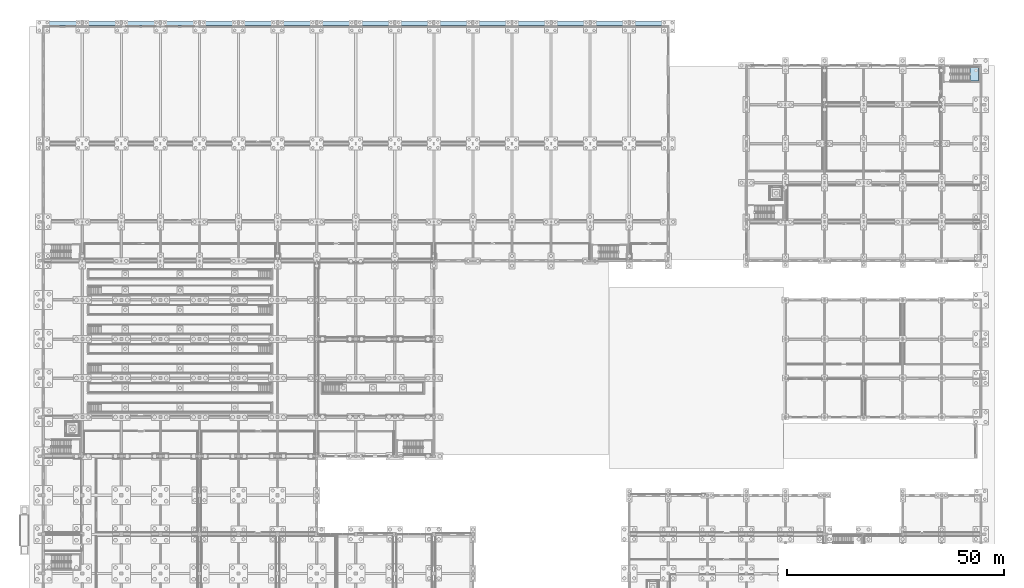
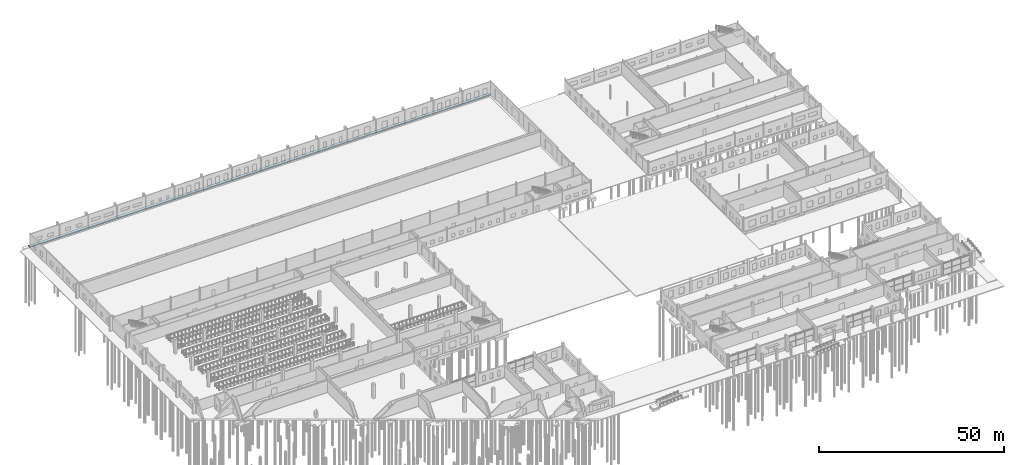
# One storey, part 61 of 112: 2 slabs, 1 element without a shape of its own.
"""IFC4 building model written with IfcOpenShell, lengths in metres."""

from ifc_helpers import new_model, si_unit, direction, frame, origin, place, context, subcontext, project, spatial, polyline, outline, extrude, material, layer, layer_set, type_object, element, aggregate, save


model = new_model("IFC4")

# Units and contexts
model_context = context("Model", 3, precision=1e-05, world=origin(), true_north=direction((0.0, 1.0)))
body_context = subcontext(model_context, "Body", "Model", "MODEL_VIEW")
ifc_project = project(units=[si_unit("LENGTHUNIT", "METRE"), si_unit("AREAUNIT", "SQUARE_METRE"), si_unit("VOLUMEUNIT", "CUBIC_METRE"), si_unit("PLANEANGLEUNIT", "RADIAN"), si_unit("MASSUNIT", "GRAM", prefix="KILO")], contexts=[model_context])

# Site, building, storey
site_placement = place(None, origin())
site = spatial("IfcSite", under=ifc_project, at=site_placement, CompositionType="ELEMENT")
building_placement = place(site_placement, origin())
building = spatial("IfcBuilding", under=site, at=building_placement, Name="Tharagai Park Tramway Depot", CompositionType="ELEMENT")
storey_placement = place(building_placement, origin())
storey = spatial("IfcBuildingStorey", under=building, at=storey_placement, Name="L00", CompositionType="ELEMENT", Elevation=0.0)

# Stair, slab
ifc_material = material(Name="Concrete M35", Category="concrete")
stair_type = type_object("IfcStairType", Name="STT-02", PredefinedType="HALF_TURN_STAIR", material=ifc_material)
stair_placement = place(storey_placement, origin())
stair = element("IfcStair", 1, at=stair_placement, inside=storey, type_object=stair_type, Name="L00 Protected Exit Stair ST-13", PredefinedType="HALF_TURN_STAIR")
ifc_layer_1 = layer(ifc_material, 0.199951171875)
ifc_layer_set_1 = layer_set([ifc_layer_1], Name="Concrete M35")
slab_type_1 = type_object("IfcSlabType", Name="LN-01", PredefinedType="LANDING", material=ifc_layer_set_1)
slab_1_placement = place(storey_placement, frame((0.0, 0.0, 2.199951171875)))
slab_1 = element("IfcSlab", 2, at=slab_1_placement, type_object=slab_type_1, Name="ST-13 landing 1", PredefinedType="LANDING", context=body_context, shape_type="SweptSolid", body=[
    extrude(outline(polyline([(213.5400390625, 131.409912109375), (215.47998046875, 131.409912109375), (215.47998046875, 134.60009765625), (213.5400390625, 134.60009765625), (213.5400390625, 131.409912109375)])), origin(), (0.0, 0.0, 1.0), 0.199951171875),
])
aggregate(stair, [slab_1])

# Slab
ifc_layer_2 = layer(ifc_material, 0.31005859375)
ifc_layer_set_2 = layer_set([ifc_layer_2], Name="Concrete M35")
slab_type_2 = type_object("IfcSlabType", Name="SB-04", PredefinedType="BASESLAB", material=ifc_layer_set_2)
slab_2_placement = place(storey_placement, frame((0.0, 0.0, -0.31005859375)))
element("IfcSlab", 3, at=slab_2_placement, inside=storey, type_object=slab_type_2, Name="North Shed Buttress Plinth Apron", PredefinedType="BASESLAB", context=body_context, shape_type="SweptSolid", body=[
    extrude(outline(polyline([(0.0, 144.239990234375), (144.0, 144.239990234375), (144.0, 145.10009765625), (0.0, 145.10009765625), (0.0, 144.239990234375)])), origin(), (0.0, 0.0, 1.0), 0.31005859375),
])

save(model, "model.ifc")
